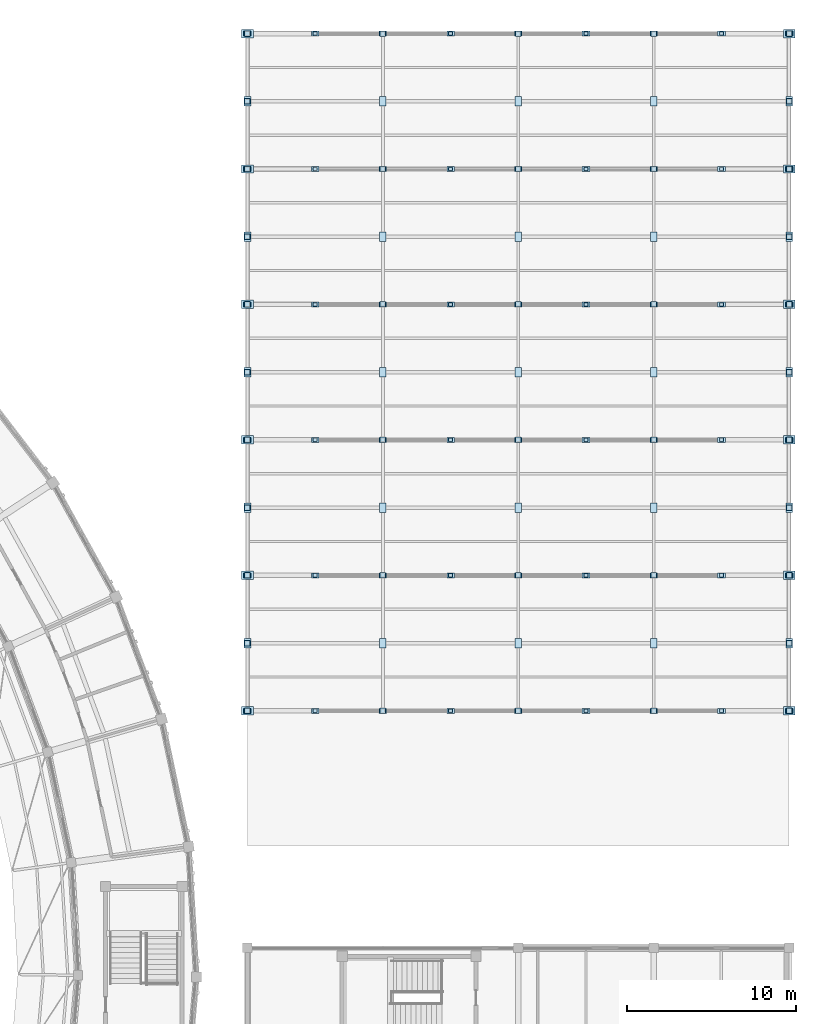
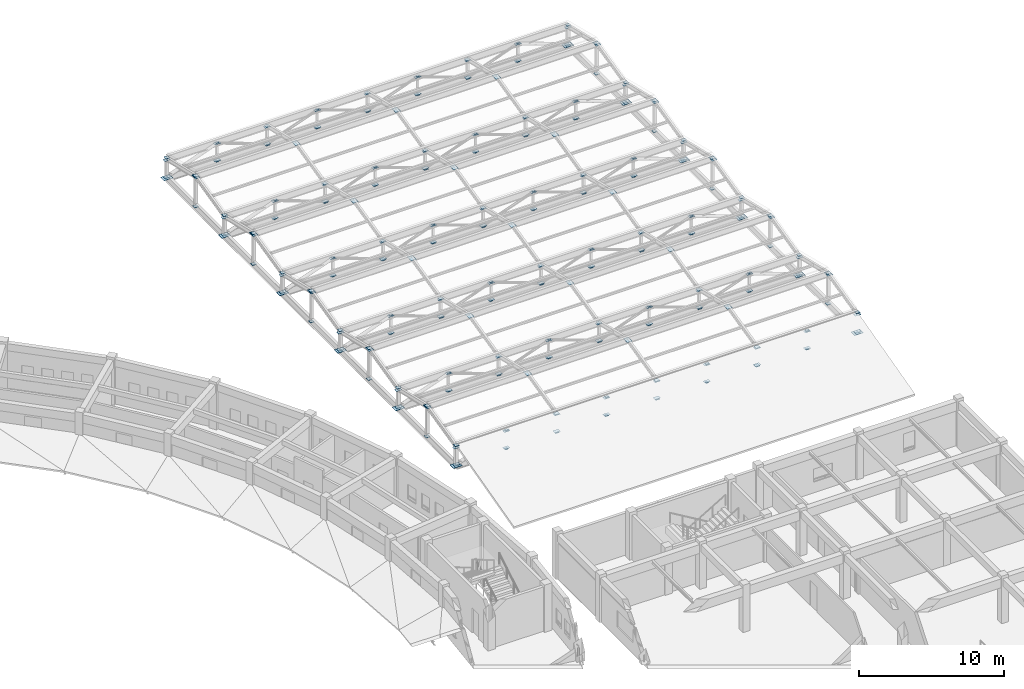
# One storey, part 72 of 112: 273 plates.
"""IFC4 building model written with IfcOpenShell, lengths in metres."""

from ifc_helpers import new_model, si_unit, direction, frame, origin, origin_2d, place, context, subcontext, project, spatial, rectangle, extrude, material, layer, layer_set, type_object, element, save


model = new_model("IFC4")

# Units and contexts
model_context = context("Model", 3, precision=1e-05, world=origin(), true_north=direction((0.0, 1.0)))
body_context = subcontext(model_context, "Body", "Model", "MODEL_VIEW")
ifc_project = project(units=[si_unit("LENGTHUNIT", "METRE"), si_unit("AREAUNIT", "SQUARE_METRE"), si_unit("VOLUMEUNIT", "CUBIC_METRE"), si_unit("PLANEANGLEUNIT", "RADIAN"), si_unit("MASSUNIT", "GRAM", prefix="KILO")], contexts=[model_context])

# Site, building, storey
site_placement = place(None, origin())
site = spatial("IfcSite", under=ifc_project, at=site_placement, CompositionType="ELEMENT")
building_placement = place(site_placement, origin())
building = spatial("IfcBuilding", under=site, at=building_placement, Name="Celadon Cloister-Ring School", CompositionType="ELEMENT")
storey_placement = place(building_placement, frame((0.0, 0.0, 8.5)))
storey = spatial("IfcBuildingStorey", under=building, at=storey_placement, Name="L02", CompositionType="ELEMENT", Elevation=8.5)

# Plates
ifc_material_1 = material(Name="Structural steel S355JR", Category="steel")
ifc_layer_1 = layer(ifc_material_1, 0.02392578125)
ifc_layer_set_1 = layer_set([ifc_layer_1], Name="Structural steel S355JR")
plate_type_1 = type_object("IfcPlateType", Name="PT-02", PredefinedType="SHEET", material=ifc_layer_set_1)
for number, where, z_axis, x_axis, name in (
    (1, (142.0, 74.0, 0.887939453125), (0.0, 0.0, 1.0), (1.0, 0.0, 0.0), "Gusset Plate 0121"),
    (2, (174.0, 74.0, 0.887939453125), (0.0, 0.0, 1.0), (1.0, 0.0, 0.0), "Gusset Plate 0122"),
    (3, (142.0, 82.0, 0.887939453125), (0.0, 0.0, 1.0), (1.0, 0.0, 0.0), "Gusset Plate 0159"),
    (4, (174.0, 82.0, 0.887939453125), (0.0, 0.0, 1.0), (1.0, 0.0, 0.0), "Gusset Plate 0160"),
    (5, (142.0, 90.0, 0.887939453125), (0.0, 0.0, 1.0), (1.0, 0.0, 0.0), "Gusset Plate 0197"),
    (6, (174.0, 90.0, 0.887939453125), (0.0, 0.0, 1.0), (1.0, 0.0, 0.0), "Gusset Plate 0198"),
    (7, (142.0, 98.0, 0.887939453125), (0.0, 0.0, 1.0), (1.0, 0.0, 0.0), "Gusset Plate 0235"),
    (8, (174.0, 98.0, 0.887939453125), (0.0, 0.0, 1.0), (1.0, 0.0, 0.0), "Gusset Plate 0236"),
    (9, (142.0, 106.0, 0.887939453125), (0.0, 0.0, 1.0), (1.0, 0.0, 0.0), "Gusset Plate 0273"),
    (10, (174.0, 106.0, 0.887939453125), (0.0, 0.0, 1.0), (1.0, 0.0, 0.0), "Gusset Plate 0274"),
    (11, (142.0, 114.0, 0.887939453125), (0.0, 0.0, 1.0), (1.0, 0.0, 0.0), "Gusset Plate 0311"),
    (12, (174.0, 114.0, 0.887939453125), (0.0, 0.0, 1.0), (1.0, 0.0, 0.0), "Gusset Plate 0312"),
):
    element("IfcPlate", number, at=place(storey_placement, frame(where, z_axis=z_axis, x_axis=x_axis)), inside=storey, type_object=plate_type_1, Name=name, PredefinedType="SHEET", context=body_context, shape_type="SweptSolid", body=[
        extrude(rectangle(XDim=0.699951171875, YDim=0.5, at=origin_2d()), origin(), (0.0, 0.0, 1.0), 0.02392578125),
    ])
ifc_material_2 = material(Name="Structural steel S355JR", Category="steel")
ifc_layer_2 = layer(ifc_material_2, 0.01611328125)
ifc_layer_set_2 = layer_set([ifc_layer_2], Name="Structural steel S355JR")
plate_type_2 = type_object("IfcPlateType", Name="PT-03", PredefinedType="SHEET", material=ifc_layer_set_2)
for number, where, z_axis, x_axis, name in (
    (13, (142.0, 78.0, 3.44189453125), (0.0, 0.0, 1.0), (0.0, 1.0, 0.0), "Gusset Plate 0317"),
    (14, (150.0, 78.0, 3.44189453125), (0.0, 0.0, 1.0), (0.0, 1.0, 0.0), "Gusset Plate 0318"),
    (15, (158.0, 78.0, 3.44189453125), (0.0, 0.0, 1.0), (0.0, 1.0, 0.0), "Gusset Plate 0319"),
    (16, (166.0, 78.0, 3.44189453125), (0.0, 0.0, 1.0), (0.0, 1.0, 0.0), "Gusset Plate 0320"),
    (17, (174.0, 78.0, 3.44189453125), (0.0, 0.0, 1.0), (0.0, 1.0, 0.0), "Gusset Plate 0321"),
    (18, (142.0, 86.0, 3.44189453125), (0.0, 0.0, 1.0), (0.0, 1.0, 0.0), "Gusset Plate 0326"),
    (19, (150.0, 86.0, 3.44189453125), (0.0, 0.0, 1.0), (0.0, 1.0, 0.0), "Gusset Plate 0327"),
    (20, (158.0, 86.0, 3.44189453125), (0.0, 0.0, 1.0), (0.0, 1.0, 0.0), "Gusset Plate 0328"),
    (21, (166.0, 86.0, 3.44189453125), (0.0, 0.0, 1.0), (0.0, 1.0, 0.0), "Gusset Plate 0329"),
    (22, (174.0, 86.0, 3.44189453125), (0.0, 0.0, 1.0), (0.0, 1.0, 0.0), "Gusset Plate 0330"),
    (23, (142.0, 94.0, 3.44189453125), (0.0, 0.0, 1.0), (0.0, 1.0, 0.0), "Gusset Plate 0335"),
    (24, (150.0, 94.0, 3.44189453125), (0.0, 0.0, 1.0), (0.0, 1.0, 0.0), "Gusset Plate 0336"),
    (25, (158.0, 94.0, 3.44189453125), (0.0, 0.0, 1.0), (0.0, 1.0, 0.0), "Gusset Plate 0337"),
    (26, (166.0, 94.0, 3.44189453125), (0.0, 0.0, 1.0), (0.0, 1.0, 0.0), "Gusset Plate 0338"),
    (27, (174.0, 94.0, 3.44189453125), (0.0, 0.0, 1.0), (0.0, 1.0, 0.0), "Gusset Plate 0339"),
    (28, (142.0, 102.0, 3.44189453125), (0.0, 0.0, 1.0), (0.0, 1.0, 0.0), "Gusset Plate 0344"),
    (29, (150.0, 102.0, 3.44189453125), (0.0, 0.0, 1.0), (0.0, 1.0, 0.0), "Gusset Plate 0345"),
    (30, (158.0, 102.0, 3.44189453125), (0.0, 0.0, 1.0), (0.0, 1.0, 0.0), "Gusset Plate 0346"),
    (31, (166.0, 102.0, 3.44189453125), (0.0, 0.0, 1.0), (0.0, 1.0, 0.0), "Gusset Plate 0347"),
    (32, (174.0, 102.0, 3.44189453125), (0.0, 0.0, 1.0), (0.0, 1.0, 0.0), "Gusset Plate 0348"),
    (33, (142.0, 110.0, 3.44189453125), (0.0, 0.0, 1.0), (0.0, 1.0, 0.0), "Gusset Plate 0353"),
    (34, (150.0, 110.0, 3.44189453125), (0.0, 0.0, 1.0), (0.0, 1.0, 0.0), "Gusset Plate 0354"),
    (35, (158.0, 110.0, 3.44189453125), (0.0, 0.0, 1.0), (0.0, 1.0, 0.0), "Gusset Plate 0355"),
    (36, (166.0, 110.0, 3.44189453125), (0.0, 0.0, 1.0), (0.0, 1.0, 0.0), "Gusset Plate 0356"),
    (37, (174.0, 110.0, 3.44189453125), (0.0, 0.0, 1.0), (0.0, 1.0, 0.0), "Gusset Plate 0357"),
):
    element("IfcPlate", number, at=place(storey_placement, frame(where, z_axis=z_axis, x_axis=x_axis)), inside=storey, type_object=plate_type_2, Name=name, PredefinedType="SHEET", context=body_context, shape_type="SweptSolid", body=[
        extrude(rectangle(XDim=0.56005859375, YDim=0.39990234375, at=origin_2d()), origin(), (0.0, 0.0, 1.0), 0.01611328125),
    ])
ifc_material_3 = material(Name="Structural steel S355JR", Category="steel")
ifc_layer_3 = layer(ifc_material_3, 0.011962890625)
ifc_layer_set_3 = layer_set([ifc_layer_3], Name="Structural steel S355JR")
plate_type_3 = type_object("IfcPlateType", Name="PT-04", PredefinedType="SHEET", material=ifc_layer_set_3)
for number, where, z_axis, x_axis, name in (
    (38, (142.0, 74.0, 0.97412109375), (0.0, 0.0, 1.0), (1.0, 0.0, 0.0), "Gusset Plate 0103"),
    (39, (142.0, 74.0, 2.4140625), (0.0, 0.0, 1.0), (1.0, 0.0, 0.0), "Gusset Plate 0104"),
    (40, (146.0, 74.0, 0.97412109375), (0.0, 0.0, 1.0), (1.0, 0.0, 0.0), "Gusset Plate 0105"),
    (41, (146.0, 74.0, 2.4140625), (0.0, 0.0, 1.0), (1.0, 0.0, 0.0), "Gusset Plate 0106"),
    (42, (150.0, 74.0, 0.97412109375), (0.0, 0.0, 1.0), (1.0, 0.0, 0.0), "Gusset Plate 0107"),
    (43, (150.0, 74.0, 2.4140625), (0.0, 0.0, 1.0), (1.0, 0.0, 0.0), "Gusset Plate 0108"),
    (44, (154.0, 74.0, 0.97412109375), (0.0, 0.0, 1.0), (1.0, 0.0, 0.0), "Gusset Plate 0109"),
    (45, (154.0, 74.0, 2.4140625), (0.0, 0.0, 1.0), (1.0, 0.0, 0.0), "Gusset Plate 0110"),
    (46, (158.0, 74.0, 0.97412109375), (0.0, 0.0, 1.0), (1.0, 0.0, 0.0), "Gusset Plate 0111"),
    (47, (158.0, 74.0, 2.4140625), (0.0, 0.0, 1.0), (1.0, 0.0, 0.0), "Gusset Plate 0112"),
    (48, (162.0, 74.0, 0.97412109375), (0.0, 0.0, 1.0), (1.0, 0.0, 0.0), "Gusset Plate 0113"),
    (49, (162.0, 74.0, 2.4140625), (0.0, 0.0, 1.0), (1.0, 0.0, 0.0), "Gusset Plate 0114"),
    (50, (166.0, 74.0, 0.97412109375), (0.0, 0.0, 1.0), (1.0, 0.0, 0.0), "Gusset Plate 0115"),
    (51, (166.0, 74.0, 2.4140625), (0.0, 0.0, 1.0), (1.0, 0.0, 0.0), "Gusset Plate 0116"),
    (52, (170.0, 74.0, 0.97412109375), (0.0, 0.0, 1.0), (1.0, 0.0, 0.0), "Gusset Plate 0117"),
    (53, (170.0, 74.0, 2.4140625), (0.0, 0.0, 1.0), (1.0, 0.0, 0.0), "Gusset Plate 0118"),
    (54, (174.0, 74.0, 0.97412109375), (0.0, 0.0, 1.0), (1.0, 0.0, 0.0), "Gusset Plate 0119"),
    (55, (174.0, 74.0, 2.4140625), (0.0, 0.0, 1.0), (1.0, 0.0, 0.0), "Gusset Plate 0120"),
    (56, (142.0, 82.0, 0.97412109375), (0.0, 0.0, 1.0), (1.0, 0.0, 0.0), "Gusset Plate 0141"),
    (57, (142.0, 82.0, 2.4140625), (0.0, 0.0, 1.0), (1.0, 0.0, 0.0), "Gusset Plate 0142"),
    (58, (146.0, 82.0, 0.97412109375), (0.0, 0.0, 1.0), (1.0, 0.0, 0.0), "Gusset Plate 0143"),
    (59, (146.0, 82.0, 2.4140625), (0.0, 0.0, 1.0), (1.0, 0.0, 0.0), "Gusset Plate 0144"),
    (60, (150.0, 82.0, 0.97412109375), (0.0, 0.0, 1.0), (1.0, 0.0, 0.0), "Gusset Plate 0145"),
    (61, (150.0, 82.0, 2.4140625), (0.0, 0.0, 1.0), (1.0, 0.0, 0.0), "Gusset Plate 0146"),
    (62, (154.0, 82.0, 0.97412109375), (0.0, 0.0, 1.0), (1.0, 0.0, 0.0), "Gusset Plate 0147"),
    (63, (154.0, 82.0, 2.4140625), (0.0, 0.0, 1.0), (1.0, 0.0, 0.0), "Gusset Plate 0148"),
    (64, (158.0, 82.0, 0.97412109375), (0.0, 0.0, 1.0), (1.0, 0.0, 0.0), "Gusset Plate 0149"),
    (65, (158.0, 82.0, 2.4140625), (0.0, 0.0, 1.0), (1.0, 0.0, 0.0), "Gusset Plate 0150"),
    (66, (162.0, 82.0, 0.97412109375), (0.0, 0.0, 1.0), (1.0, 0.0, 0.0), "Gusset Plate 0151"),
    (67, (162.0, 82.0, 2.4140625), (0.0, 0.0, 1.0), (1.0, 0.0, 0.0), "Gusset Plate 0152"),
    (68, (166.0, 82.0, 0.97412109375), (0.0, 0.0, 1.0), (1.0, 0.0, 0.0), "Gusset Plate 0153"),
    (69, (166.0, 82.0, 2.4140625), (0.0, 0.0, 1.0), (1.0, 0.0, 0.0), "Gusset Plate 0154"),
    (70, (170.0, 82.0, 0.97412109375), (0.0, 0.0, 1.0), (1.0, 0.0, 0.0), "Gusset Plate 0155"),
    (71, (170.0, 82.0, 2.4140625), (0.0, 0.0, 1.0), (1.0, 0.0, 0.0), "Gusset Plate 0156"),
    (72, (174.0, 82.0, 0.97412109375), (0.0, 0.0, 1.0), (1.0, 0.0, 0.0), "Gusset Plate 0157"),
    (73, (174.0, 82.0, 2.4140625), (0.0, 0.0, 1.0), (1.0, 0.0, 0.0), "Gusset Plate 0158"),
    (74, (142.0, 90.0, 0.97412109375), (0.0, 0.0, 1.0), (1.0, 0.0, 0.0), "Gusset Plate 0179"),
    (75, (142.0, 90.0, 2.4140625), (0.0, 0.0, 1.0), (1.0, 0.0, 0.0), "Gusset Plate 0180"),
    (76, (146.0, 90.0, 0.97412109375), (0.0, 0.0, 1.0), (1.0, 0.0, 0.0), "Gusset Plate 0181"),
    (77, (146.0, 90.0, 2.4140625), (0.0, 0.0, 1.0), (1.0, 0.0, 0.0), "Gusset Plate 0182"),
    (78, (150.0, 90.0, 0.97412109375), (0.0, 0.0, 1.0), (1.0, 0.0, 0.0), "Gusset Plate 0183"),
    (79, (150.0, 90.0, 2.4140625), (0.0, 0.0, 1.0), (1.0, 0.0, 0.0), "Gusset Plate 0184"),
    (80, (154.0, 90.0, 0.97412109375), (0.0, 0.0, 1.0), (1.0, 0.0, 0.0), "Gusset Plate 0185"),
    (81, (154.0, 90.0, 2.4140625), (0.0, 0.0, 1.0), (1.0, 0.0, 0.0), "Gusset Plate 0186"),
    (82, (158.0, 90.0, 0.97412109375), (0.0, 0.0, 1.0), (1.0, 0.0, 0.0), "Gusset Plate 0187"),
    (83, (158.0, 90.0, 2.4140625), (0.0, 0.0, 1.0), (1.0, 0.0, 0.0), "Gusset Plate 0188"),
    (84, (162.0, 90.0, 0.97412109375), (0.0, 0.0, 1.0), (1.0, 0.0, 0.0), "Gusset Plate 0189"),
    (85, (162.0, 90.0, 2.4140625), (0.0, 0.0, 1.0), (1.0, 0.0, 0.0), "Gusset Plate 0190"),
    (86, (166.0, 90.0, 0.97412109375), (0.0, 0.0, 1.0), (1.0, 0.0, 0.0), "Gusset Plate 0191"),
    (87, (166.0, 90.0, 2.4140625), (0.0, 0.0, 1.0), (1.0, 0.0, 0.0), "Gusset Plate 0192"),
    (88, (170.0, 90.0, 0.97412109375), (0.0, 0.0, 1.0), (1.0, 0.0, 0.0), "Gusset Plate 0193"),
    (89, (170.0, 90.0, 2.4140625), (0.0, 0.0, 1.0), (1.0, 0.0, 0.0), "Gusset Plate 0194"),
    (90, (174.0, 90.0, 0.97412109375), (0.0, 0.0, 1.0), (1.0, 0.0, 0.0), "Gusset Plate 0195"),
    (91, (174.0, 90.0, 2.4140625), (0.0, 0.0, 1.0), (1.0, 0.0, 0.0), "Gusset Plate 0196"),
    (92, (142.0, 98.0, 0.97412109375), (0.0, 0.0, 1.0), (1.0, 0.0, 0.0), "Gusset Plate 0217"),
    (93, (142.0, 98.0, 2.4140625), (0.0, 0.0, 1.0), (1.0, 0.0, 0.0), "Gusset Plate 0218"),
    (94, (146.0, 98.0, 0.97412109375), (0.0, 0.0, 1.0), (1.0, 0.0, 0.0), "Gusset Plate 0219"),
    (95, (146.0, 98.0, 2.4140625), (0.0, 0.0, 1.0), (1.0, 0.0, 0.0), "Gusset Plate 0220"),
    (96, (150.0, 98.0, 0.97412109375), (0.0, 0.0, 1.0), (1.0, 0.0, 0.0), "Gusset Plate 0221"),
    (97, (150.0, 98.0, 2.4140625), (0.0, 0.0, 1.0), (1.0, 0.0, 0.0), "Gusset Plate 0222"),
    (98, (154.0, 98.0, 0.97412109375), (0.0, 0.0, 1.0), (1.0, 0.0, 0.0), "Gusset Plate 0223"),
    (99, (154.0, 98.0, 2.4140625), (0.0, 0.0, 1.0), (1.0, 0.0, 0.0), "Gusset Plate 0224"),
    (100, (158.0, 98.0, 0.97412109375), (0.0, 0.0, 1.0), (1.0, 0.0, 0.0), "Gusset Plate 0225"),
    (101, (158.0, 98.0, 2.4140625), (0.0, 0.0, 1.0), (1.0, 0.0, 0.0), "Gusset Plate 0226"),
    (102, (162.0, 98.0, 0.97412109375), (0.0, 0.0, 1.0), (1.0, 0.0, 0.0), "Gusset Plate 0227"),
    (103, (162.0, 98.0, 2.4140625), (0.0, 0.0, 1.0), (1.0, 0.0, 0.0), "Gusset Plate 0228"),
    (104, (166.0, 98.0, 0.97412109375), (0.0, 0.0, 1.0), (1.0, 0.0, 0.0), "Gusset Plate 0229"),
    (105, (166.0, 98.0, 2.4140625), (0.0, 0.0, 1.0), (1.0, 0.0, 0.0), "Gusset Plate 0230"),
    (106, (170.0, 98.0, 0.97412109375), (0.0, 0.0, 1.0), (1.0, 0.0, 0.0), "Gusset Plate 0231"),
    (107, (170.0, 98.0, 2.4140625), (0.0, 0.0, 1.0), (1.0, 0.0, 0.0), "Gusset Plate 0232"),
    (108, (174.0, 98.0, 0.97412109375), (0.0, 0.0, 1.0), (1.0, 0.0, 0.0), "Gusset Plate 0233"),
    (109, (174.0, 98.0, 2.4140625), (0.0, 0.0, 1.0), (1.0, 0.0, 0.0), "Gusset Plate 0234"),
    (110, (142.0, 106.0, 0.97412109375), (0.0, 0.0, 1.0), (1.0, 0.0, 0.0), "Gusset Plate 0255"),
    (111, (142.0, 106.0, 2.4140625), (0.0, 0.0, 1.0), (1.0, 0.0, 0.0), "Gusset Plate 0256"),
    (112, (146.0, 106.0, 0.97412109375), (0.0, 0.0, 1.0), (1.0, 0.0, 0.0), "Gusset Plate 0257"),
    (113, (146.0, 106.0, 2.4140625), (0.0, 0.0, 1.0), (1.0, 0.0, 0.0), "Gusset Plate 0258"),
    (114, (150.0, 106.0, 0.97412109375), (0.0, 0.0, 1.0), (1.0, 0.0, 0.0), "Gusset Plate 0259"),
    (115, (150.0, 106.0, 2.4140625), (0.0, 0.0, 1.0), (1.0, 0.0, 0.0), "Gusset Plate 0260"),
    (116, (154.0, 106.0, 0.97412109375), (0.0, 0.0, 1.0), (1.0, 0.0, 0.0), "Gusset Plate 0261"),
    (117, (154.0, 106.0, 2.4140625), (0.0, 0.0, 1.0), (1.0, 0.0, 0.0), "Gusset Plate 0262"),
    (118, (158.0, 106.0, 0.97412109375), (0.0, 0.0, 1.0), (1.0, 0.0, 0.0), "Gusset Plate 0263"),
    (119, (158.0, 106.0, 2.4140625), (0.0, 0.0, 1.0), (1.0, 0.0, 0.0), "Gusset Plate 0264"),
    (120, (162.0, 106.0, 0.97412109375), (0.0, 0.0, 1.0), (1.0, 0.0, 0.0), "Gusset Plate 0265"),
    (121, (162.0, 106.0, 2.4140625), (0.0, 0.0, 1.0), (1.0, 0.0, 0.0), "Gusset Plate 0266"),
    (122, (166.0, 106.0, 0.97412109375), (0.0, 0.0, 1.0), (1.0, 0.0, 0.0), "Gusset Plate 0267"),
    (123, (166.0, 106.0, 2.4140625), (0.0, 0.0, 1.0), (1.0, 0.0, 0.0), "Gusset Plate 0268"),
    (124, (170.0, 106.0, 0.97412109375), (0.0, 0.0, 1.0), (1.0, 0.0, 0.0), "Gusset Plate 0269"),
    (125, (170.0, 106.0, 2.4140625), (0.0, 0.0, 1.0), (1.0, 0.0, 0.0), "Gusset Plate 0270"),
    (126, (174.0, 106.0, 0.97412109375), (0.0, 0.0, 1.0), (1.0, 0.0, 0.0), "Gusset Plate 0271"),
    (127, (174.0, 106.0, 2.4140625), (0.0, 0.0, 1.0), (1.0, 0.0, 0.0), "Gusset Plate 0272"),
    (128, (142.0, 114.0, 0.97412109375), (0.0, 0.0, 1.0), (1.0, 0.0, 0.0), "Gusset Plate 0293"),
    (129, (142.0, 114.0, 2.4140625), (0.0, 0.0, 1.0), (1.0, 0.0, 0.0), "Gusset Plate 0294"),
    (130, (146.0, 114.0, 0.97412109375), (0.0, 0.0, 1.0), (1.0, 0.0, 0.0), "Gusset Plate 0295"),
    (131, (146.0, 114.0, 2.4140625), (0.0, 0.0, 1.0), (1.0, 0.0, 0.0), "Gusset Plate 0296"),
    (132, (150.0, 114.0, 0.97412109375), (0.0, 0.0, 1.0), (1.0, 0.0, 0.0), "Gusset Plate 0297"),
    (133, (150.0, 114.0, 2.4140625), (0.0, 0.0, 1.0), (1.0, 0.0, 0.0), "Gusset Plate 0298"),
    (134, (154.0, 114.0, 0.97412109375), (0.0, 0.0, 1.0), (1.0, 0.0, 0.0), "Gusset Plate 0299"),
    (135, (154.0, 114.0, 2.4140625), (0.0, 0.0, 1.0), (1.0, 0.0, 0.0), "Gusset Plate 0300"),
    (136, (158.0, 114.0, 0.97412109375), (0.0, 0.0, 1.0), (1.0, 0.0, 0.0), "Gusset Plate 0301"),
    (137, (158.0, 114.0, 2.4140625), (0.0, 0.0, 1.0), (1.0, 0.0, 0.0), "Gusset Plate 0302"),
    (138, (162.0, 114.0, 0.97412109375), (0.0, 0.0, 1.0), (1.0, 0.0, 0.0), "Gusset Plate 0303"),
    (139, (162.0, 114.0, 2.4140625), (0.0, 0.0, 1.0), (1.0, 0.0, 0.0), "Gusset Plate 0304"),
    (140, (166.0, 114.0, 0.97412109375), (0.0, 0.0, 1.0), (1.0, 0.0, 0.0), "Gusset Plate 0305"),
    (141, (166.0, 114.0, 2.4140625), (0.0, 0.0, 1.0), (1.0, 0.0, 0.0), "Gusset Plate 0306"),
    (142, (170.0, 114.0, 0.97412109375), (0.0, 0.0, 1.0), (1.0, 0.0, 0.0), "Gusset Plate 0307"),
    (143, (170.0, 114.0, 2.4140625), (0.0, 0.0, 1.0), (1.0, 0.0, 0.0), "Gusset Plate 0308"),
    (144, (174.0, 114.0, 0.97412109375), (0.0, 0.0, 1.0), (1.0, 0.0, 0.0), "Gusset Plate 0309"),
    (145, (174.0, 114.0, 2.4140625), (0.0, 0.0, 1.0), (1.0, 0.0, 0.0), "Gusset Plate 0310"),
):
    element("IfcPlate", number, at=place(storey_placement, frame(where, z_axis=z_axis, x_axis=x_axis)), inside=storey, type_object=plate_type_3, Name=name, PredefinedType="SHEET", context=body_context, shape_type="SweptSolid", body=[
        extrude(rectangle(XDim=0.449951171875, YDim=0.300048828125, at=origin_2d()), origin(), (0.0, 0.0, 1.0), 0.011962890625),
    ])
ifc_material_4 = material(Name="Structural steel S355JR", Category="steel")
ifc_layer_4 = layer(ifc_material_4, 0.02197265625)
ifc_layer_set_4 = layer_set([ifc_layer_4], Name="Structural steel S355JR")
plate_type_4 = type_object("IfcPlateType", Name="PT-05", PredefinedType="SHEET", material=ifc_layer_set_4)
for number, where, z_axis, x_axis, name in (
    (146, (142.0, 74.0, 0.830078125), (0.0, 0.0, 1.0), (1.0, 0.0, 0.0), "Gusset Plate 0085"),
    (147, (142.0, 74.0, 2.597900390625), (0.0, 0.0, 1.0), (1.0, 0.0, 0.0), "Gusset Plate 0086"),
    (148, (174.0, 74.0, 0.830078125), (0.0, 0.0, 1.0), (1.0, 0.0, 0.0), "Gusset Plate 0087"),
    (149, (174.0, 74.0, 2.597900390625), (0.0, 0.0, 1.0), (1.0, 0.0, 0.0), "Gusset Plate 0088"),
    (150, (150.0, 74.0, 0.89990234375), (0.0, 0.0, 1.0), (1.0, 0.0, 0.0), "Gusset Plate 0093"),
    (151, (150.0, 74.0, 2.47802734375), (0.0, 0.0, 1.0), (1.0, 0.0, 0.0), "Gusset Plate 0094"),
    (152, (158.0, 74.0, 0.89990234375), (0.0, 0.0, 1.0), (1.0, 0.0, 0.0), "Gusset Plate 0097"),
    (153, (158.0, 74.0, 2.47802734375), (0.0, 0.0, 1.0), (1.0, 0.0, 0.0), "Gusset Plate 0098"),
    (154, (166.0, 74.0, 0.89990234375), (0.0, 0.0, 1.0), (1.0, 0.0, 0.0), "Gusset Plate 0101"),
    (155, (166.0, 74.0, 2.47802734375), (0.0, 0.0, 1.0), (1.0, 0.0, 0.0), "Gusset Plate 0102"),
    (156, (142.0, 82.0, 0.830078125), (0.0, 0.0, 1.0), (1.0, 0.0, 0.0), "Gusset Plate 0123"),
    (157, (142.0, 82.0, 2.597900390625), (0.0, 0.0, 1.0), (1.0, 0.0, 0.0), "Gusset Plate 0124"),
    (158, (174.0, 82.0, 0.830078125), (0.0, 0.0, 1.0), (1.0, 0.0, 0.0), "Gusset Plate 0125"),
    (159, (174.0, 82.0, 2.597900390625), (0.0, 0.0, 1.0), (1.0, 0.0, 0.0), "Gusset Plate 0126"),
    (160, (150.0, 82.0, 0.89990234375), (0.0, 0.0, 1.0), (1.0, 0.0, 0.0), "Gusset Plate 0131"),
    (161, (150.0, 82.0, 2.47802734375), (0.0, 0.0, 1.0), (1.0, 0.0, 0.0), "Gusset Plate 0132"),
    (162, (158.0, 82.0, 0.89990234375), (0.0, 0.0, 1.0), (1.0, 0.0, 0.0), "Gusset Plate 0135"),
    (163, (158.0, 82.0, 2.47802734375), (0.0, 0.0, 1.0), (1.0, 0.0, 0.0), "Gusset Plate 0136"),
    (164, (166.0, 82.0, 0.89990234375), (0.0, 0.0, 1.0), (1.0, 0.0, 0.0), "Gusset Plate 0139"),
    (165, (166.0, 82.0, 2.47802734375), (0.0, 0.0, 1.0), (1.0, 0.0, 0.0), "Gusset Plate 0140"),
    (166, (142.0, 90.0, 0.830078125), (0.0, 0.0, 1.0), (1.0, 0.0, 0.0), "Gusset Plate 0161"),
    (167, (142.0, 90.0, 2.597900390625), (0.0, 0.0, 1.0), (1.0, 0.0, 0.0), "Gusset Plate 0162"),
    (168, (174.0, 90.0, 0.830078125), (0.0, 0.0, 1.0), (1.0, 0.0, 0.0), "Gusset Plate 0163"),
    (169, (174.0, 90.0, 2.597900390625), (0.0, 0.0, 1.0), (1.0, 0.0, 0.0), "Gusset Plate 0164"),
    (170, (150.0, 90.0, 0.89990234375), (0.0, 0.0, 1.0), (1.0, 0.0, 0.0), "Gusset Plate 0169"),
    (171, (150.0, 90.0, 2.47802734375), (0.0, 0.0, 1.0), (1.0, 0.0, 0.0), "Gusset Plate 0170"),
    (172, (158.0, 90.0, 0.89990234375), (0.0, 0.0, 1.0), (1.0, 0.0, 0.0), "Gusset Plate 0173"),
    (173, (158.0, 90.0, 2.47802734375), (0.0, 0.0, 1.0), (1.0, 0.0, 0.0), "Gusset Plate 0174"),
    (174, (166.0, 90.0, 0.89990234375), (0.0, 0.0, 1.0), (1.0, 0.0, 0.0), "Gusset Plate 0177"),
    (175, (166.0, 90.0, 2.47802734375), (0.0, 0.0, 1.0), (1.0, 0.0, 0.0), "Gusset Plate 0178"),
    (176, (142.0, 98.0, 0.830078125), (0.0, 0.0, 1.0), (1.0, 0.0, 0.0), "Gusset Plate 0199"),
    (177, (142.0, 98.0, 2.597900390625), (0.0, 0.0, 1.0), (1.0, 0.0, 0.0), "Gusset Plate 0200"),
    (178, (174.0, 98.0, 0.830078125), (0.0, 0.0, 1.0), (1.0, 0.0, 0.0), "Gusset Plate 0201"),
    (179, (174.0, 98.0, 2.597900390625), (0.0, 0.0, 1.0), (1.0, 0.0, 0.0), "Gusset Plate 0202"),
    (180, (150.0, 98.0, 0.89990234375), (0.0, 0.0, 1.0), (1.0, 0.0, 0.0), "Gusset Plate 0207"),
    (181, (150.0, 98.0, 2.47802734375), (0.0, 0.0, 1.0), (1.0, 0.0, 0.0), "Gusset Plate 0208"),
    (182, (158.0, 98.0, 0.89990234375), (0.0, 0.0, 1.0), (1.0, 0.0, 0.0), "Gusset Plate 0211"),
    (183, (158.0, 98.0, 2.47802734375), (0.0, 0.0, 1.0), (1.0, 0.0, 0.0), "Gusset Plate 0212"),
    (184, (166.0, 98.0, 0.89990234375), (0.0, 0.0, 1.0), (1.0, 0.0, 0.0), "Gusset Plate 0215"),
    (185, (166.0, 98.0, 2.47802734375), (0.0, 0.0, 1.0), (1.0, 0.0, 0.0), "Gusset Plate 0216"),
    (186, (142.0, 106.0, 0.830078125), (0.0, 0.0, 1.0), (1.0, 0.0, 0.0), "Gusset Plate 0237"),
    (187, (142.0, 106.0, 2.597900390625), (0.0, 0.0, 1.0), (1.0, 0.0, 0.0), "Gusset Plate 0238"),
    (188, (174.0, 106.0, 0.830078125), (0.0, 0.0, 1.0), (1.0, 0.0, 0.0), "Gusset Plate 0239"),
    (189, (174.0, 106.0, 2.597900390625), (0.0, 0.0, 1.0), (1.0, 0.0, 0.0), "Gusset Plate 0240"),
    (190, (150.0, 106.0, 0.89990234375), (0.0, 0.0, 1.0), (1.0, 0.0, 0.0), "Gusset Plate 0245"),
    (191, (150.0, 106.0, 2.47802734375), (0.0, 0.0, 1.0), (1.0, 0.0, 0.0), "Gusset Plate 0246"),
    (192, (158.0, 106.0, 0.89990234375), (0.0, 0.0, 1.0), (1.0, 0.0, 0.0), "Gusset Plate 0249"),
    (193, (158.0, 106.0, 2.47802734375), (0.0, 0.0, 1.0), (1.0, 0.0, 0.0), "Gusset Plate 0250"),
    (194, (166.0, 106.0, 0.89990234375), (0.0, 0.0, 1.0), (1.0, 0.0, 0.0), "Gusset Plate 0253"),
    (195, (166.0, 106.0, 2.47802734375), (0.0, 0.0, 1.0), (1.0, 0.0, 0.0), "Gusset Plate 0254"),
    (196, (142.0, 114.0, 0.830078125), (0.0, 0.0, 1.0), (1.0, 0.0, 0.0), "Gusset Plate 0275"),
    (197, (142.0, 114.0, 2.597900390625), (0.0, 0.0, 1.0), (1.0, 0.0, 0.0), "Gusset Plate 0276"),
    (198, (174.0, 114.0, 0.830078125), (0.0, 0.0, 1.0), (1.0, 0.0, 0.0), "Gusset Plate 0277"),
    (199, (174.0, 114.0, 2.597900390625), (0.0, 0.0, 1.0), (1.0, 0.0, 0.0), "Gusset Plate 0278"),
    (200, (150.0, 114.0, 0.89990234375), (0.0, 0.0, 1.0), (1.0, 0.0, 0.0), "Gusset Plate 0283"),
    (201, (150.0, 114.0, 2.47802734375), (0.0, 0.0, 1.0), (1.0, 0.0, 0.0), "Gusset Plate 0284"),
    (202, (158.0, 114.0, 0.89990234375), (0.0, 0.0, 1.0), (1.0, 0.0, 0.0), "Gusset Plate 0287"),
    (203, (158.0, 114.0, 2.47802734375), (0.0, 0.0, 1.0), (1.0, 0.0, 0.0), "Gusset Plate 0288"),
    (204, (166.0, 114.0, 0.89990234375), (0.0, 0.0, 1.0), (1.0, 0.0, 0.0), "Gusset Plate 0291"),
    (205, (166.0, 114.0, 2.47802734375), (0.0, 0.0, 1.0), (1.0, 0.0, 0.0), "Gusset Plate 0292"),
    (206, (142.0, 78.0, 0.89990234375), (0.0, 0.0, 1.0), (1.0, 0.0, 0.0), "Gusset Plate 0313"),
    (207, (142.0, 78.0, 3.498046875), (0.0, 0.0, 1.0), (1.0, 0.0, 0.0), "Gusset Plate 0314"),
    (208, (174.0, 78.0, 0.89990234375), (0.0, 0.0, 1.0), (1.0, 0.0, 0.0), "Gusset Plate 0315"),
    (209, (174.0, 78.0, 3.498046875), (0.0, 0.0, 1.0), (1.0, 0.0, 0.0), "Gusset Plate 0316"),
    (210, (142.0, 86.0, 0.89990234375), (0.0, 0.0, 1.0), (1.0, 0.0, 0.0), "Gusset Plate 0322"),
    (211, (142.0, 86.0, 3.498046875), (0.0, 0.0, 1.0), (1.0, 0.0, 0.0), "Gusset Plate 0323"),
    (212, (174.0, 86.0, 0.89990234375), (0.0, 0.0, 1.0), (1.0, 0.0, 0.0), "Gusset Plate 0324"),
    (213, (174.0, 86.0, 3.498046875), (0.0, 0.0, 1.0), (1.0, 0.0, 0.0), "Gusset Plate 0325"),
    (214, (142.0, 94.0, 0.89990234375), (0.0, 0.0, 1.0), (1.0, 0.0, 0.0), "Gusset Plate 0331"),
    (215, (142.0, 94.0, 3.498046875), (0.0, 0.0, 1.0), (1.0, 0.0, 0.0), "Gusset Plate 0332"),
    (216, (174.0, 94.0, 0.89990234375), (0.0, 0.0, 1.0), (1.0, 0.0, 0.0), "Gusset Plate 0333"),
    (217, (174.0, 94.0, 3.498046875), (0.0, 0.0, 1.0), (1.0, 0.0, 0.0), "Gusset Plate 0334"),
    (218, (142.0, 102.0, 0.89990234375), (0.0, 0.0, 1.0), (1.0, 0.0, 0.0), "Gusset Plate 0340"),
    (219, (142.0, 102.0, 3.498046875), (0.0, 0.0, 1.0), (1.0, 0.0, 0.0), "Gusset Plate 0341"),
    (220, (174.0, 102.0, 0.89990234375), (0.0, 0.0, 1.0), (1.0, 0.0, 0.0), "Gusset Plate 0342"),
    (221, (174.0, 102.0, 3.498046875), (0.0, 0.0, 1.0), (1.0, 0.0, 0.0), "Gusset Plate 0343"),
    (222, (142.0, 110.0, 0.89990234375), (0.0, 0.0, 1.0), (1.0, 0.0, 0.0), "Gusset Plate 0349"),
    (223, (142.0, 110.0, 3.498046875), (0.0, 0.0, 1.0), (1.0, 0.0, 0.0), "Gusset Plate 0350"),
    (224, (174.0, 110.0, 0.89990234375), (0.0, 0.0, 1.0), (1.0, 0.0, 0.0), "Gusset Plate 0351"),
    (225, (174.0, 110.0, 3.498046875), (0.0, 0.0, 1.0), (1.0, 0.0, 0.0), "Gusset Plate 0352"),
):
    element("IfcPlate", number, at=place(storey_placement, frame(where, z_axis=z_axis, x_axis=x_axis)), inside=storey, type_object=plate_type_4, Name=name, PredefinedType="SHEET", context=body_context, shape_type="SweptSolid", body=[
        extrude(rectangle(XDim=0.320068359375, YDim=0.320068359375, at=origin_2d()), origin(), (0.0, 0.0, 1.0), 0.02197265625),
    ])
ifc_material_5 = material(Name="Structural steel S355JR", Category="steel")
ifc_layer_5 = layer(ifc_material_5, 0.01611328125)
ifc_layer_set_5 = layer_set([ifc_layer_5], Name="Structural steel S355JR")
plate_type_5 = type_object("IfcPlateType", Name="PT-06", PredefinedType="SHEET", material=ifc_layer_set_5)
for number, where, z_axis, x_axis, name in (
    (226, (146.0, 74.0, 0.906005859375), (0.0, 0.0, 1.0), (1.0, 0.0, 0.0), "Gusset Plate 0089"),
    (227, (146.0, 74.0, 2.47802734375), (0.0, 0.0, 1.0), (1.0, 0.0, 0.0), "Gusset Plate 0090"),
    (228, (170.0, 74.0, 0.906005859375), (0.0, 0.0, 1.0), (1.0, 0.0, 0.0), "Gusset Plate 0091"),
    (229, (170.0, 74.0, 2.47802734375), (0.0, 0.0, 1.0), (1.0, 0.0, 0.0), "Gusset Plate 0092"),
    (230, (154.0, 74.0, 0.906005859375), (0.0, 0.0, 1.0), (1.0, 0.0, 0.0), "Gusset Plate 0095"),
    (231, (154.0, 74.0, 2.47802734375), (0.0, 0.0, 1.0), (1.0, 0.0, 0.0), "Gusset Plate 0096"),
    (232, (162.0, 74.0, 0.906005859375), (0.0, 0.0, 1.0), (1.0, 0.0, 0.0), "Gusset Plate 0099"),
    (233, (162.0, 74.0, 2.47802734375), (0.0, 0.0, 1.0), (1.0, 0.0, 0.0), "Gusset Plate 0100"),
    (234, (146.0, 82.0, 0.906005859375), (0.0, 0.0, 1.0), (1.0, 0.0, 0.0), "Gusset Plate 0127"),
    (235, (146.0, 82.0, 2.47802734375), (0.0, 0.0, 1.0), (1.0, 0.0, 0.0), "Gusset Plate 0128"),
    (236, (170.0, 82.0, 0.906005859375), (0.0, 0.0, 1.0), (1.0, 0.0, 0.0), "Gusset Plate 0129"),
    (237, (170.0, 82.0, 2.47802734375), (0.0, 0.0, 1.0), (1.0, 0.0, 0.0), "Gusset Plate 0130"),
    (238, (154.0, 82.0, 0.906005859375), (0.0, 0.0, 1.0), (1.0, 0.0, 0.0), "Gusset Plate 0133"),
    (239, (154.0, 82.0, 2.47802734375), (0.0, 0.0, 1.0), (1.0, 0.0, 0.0), "Gusset Plate 0134"),
    (240, (162.0, 82.0, 0.906005859375), (0.0, 0.0, 1.0), (1.0, 0.0, 0.0), "Gusset Plate 0137"),
    (241, (162.0, 82.0, 2.47802734375), (0.0, 0.0, 1.0), (1.0, 0.0, 0.0), "Gusset Plate 0138"),
    (242, (146.0, 90.0, 0.906005859375), (0.0, 0.0, 1.0), (1.0, 0.0, 0.0), "Gusset Plate 0165"),
    (243, (146.0, 90.0, 2.47802734375), (0.0, 0.0, 1.0), (1.0, 0.0, 0.0), "Gusset Plate 0166"),
    (244, (170.0, 90.0, 0.906005859375), (0.0, 0.0, 1.0), (1.0, 0.0, 0.0), "Gusset Plate 0167"),
    (245, (170.0, 90.0, 2.47802734375), (0.0, 0.0, 1.0), (1.0, 0.0, 0.0), "Gusset Plate 0168"),
    (246, (154.0, 90.0, 0.906005859375), (0.0, 0.0, 1.0), (1.0, 0.0, 0.0), "Gusset Plate 0171"),
    (247, (154.0, 90.0, 2.47802734375), (0.0, 0.0, 1.0), (1.0, 0.0, 0.0), "Gusset Plate 0172"),
    (248, (162.0, 90.0, 0.906005859375), (0.0, 0.0, 1.0), (1.0, 0.0, 0.0), "Gusset Plate 0175"),
    (249, (162.0, 90.0, 2.47802734375), (0.0, 0.0, 1.0), (1.0, 0.0, 0.0), "Gusset Plate 0176"),
    (250, (146.0, 98.0, 0.906005859375), (0.0, 0.0, 1.0), (1.0, 0.0, 0.0), "Gusset Plate 0203"),
    (251, (146.0, 98.0, 2.47802734375), (0.0, 0.0, 1.0), (1.0, 0.0, 0.0), "Gusset Plate 0204"),
    (252, (170.0, 98.0, 0.906005859375), (0.0, 0.0, 1.0), (1.0, 0.0, 0.0), "Gusset Plate 0205"),
    (253, (170.0, 98.0, 2.47802734375), (0.0, 0.0, 1.0), (1.0, 0.0, 0.0), "Gusset Plate 0206"),
    (254, (154.0, 98.0, 0.906005859375), (0.0, 0.0, 1.0), (1.0, 0.0, 0.0), "Gusset Plate 0209"),
    (255, (154.0, 98.0, 2.47802734375), (0.0, 0.0, 1.0), (1.0, 0.0, 0.0), "Gusset Plate 0210"),
    (256, (162.0, 98.0, 0.906005859375), (0.0, 0.0, 1.0), (1.0, 0.0, 0.0), "Gusset Plate 0213"),
    (257, (162.0, 98.0, 2.47802734375), (0.0, 0.0, 1.0), (1.0, 0.0, 0.0), "Gusset Plate 0214"),
    (258, (146.0, 106.0, 0.906005859375), (0.0, 0.0, 1.0), (1.0, 0.0, 0.0), "Gusset Plate 0241"),
    (259, (146.0, 106.0, 2.47802734375), (0.0, 0.0, 1.0), (1.0, 0.0, 0.0), "Gusset Plate 0242"),
    (260, (170.0, 106.0, 0.906005859375), (0.0, 0.0, 1.0), (1.0, 0.0, 0.0), "Gusset Plate 0243"),
    (261, (170.0, 106.0, 2.47802734375), (0.0, 0.0, 1.0), (1.0, 0.0, 0.0), "Gusset Plate 0244"),
    (262, (154.0, 106.0, 0.906005859375), (0.0, 0.0, 1.0), (1.0, 0.0, 0.0), "Gusset Plate 0247"),
    (263, (154.0, 106.0, 2.47802734375), (0.0, 0.0, 1.0), (1.0, 0.0, 0.0), "Gusset Plate 0248"),
    (264, (162.0, 106.0, 0.906005859375), (0.0, 0.0, 1.0), (1.0, 0.0, 0.0), "Gusset Plate 0251"),
    (265, (162.0, 106.0, 2.47802734375), (0.0, 0.0, 1.0), (1.0, 0.0, 0.0), "Gusset Plate 0252"),
    (266, (146.0, 114.0, 0.906005859375), (0.0, 0.0, 1.0), (1.0, 0.0, 0.0), "Gusset Plate 0279"),
    (267, (146.0, 114.0, 2.47802734375), (0.0, 0.0, 1.0), (1.0, 0.0, 0.0), "Gusset Plate 0280"),
    (268, (170.0, 114.0, 0.906005859375), (0.0, 0.0, 1.0), (1.0, 0.0, 0.0), "Gusset Plate 0281"),
    (269, (170.0, 114.0, 2.47802734375), (0.0, 0.0, 1.0), (1.0, 0.0, 0.0), "Gusset Plate 0282"),
    (270, (154.0, 114.0, 0.906005859375), (0.0, 0.0, 1.0), (1.0, 0.0, 0.0), "Gusset Plate 0285"),
    (271, (154.0, 114.0, 2.47802734375), (0.0, 0.0, 1.0), (1.0, 0.0, 0.0), "Gusset Plate 0286"),
    (272, (162.0, 114.0, 0.906005859375), (0.0, 0.0, 1.0), (1.0, 0.0, 0.0), "Gusset Plate 0289"),
    (273, (162.0, 114.0, 2.47802734375), (0.0, 0.0, 1.0), (1.0, 0.0, 0.0), "Gusset Plate 0290"),
):
    element("IfcPlate", number, at=place(storey_placement, frame(where, z_axis=z_axis, x_axis=x_axis)), inside=storey, type_object=plate_type_5, Name=name, PredefinedType="SHEET", context=body_context, shape_type="SweptSolid", body=[
        extrude(rectangle(XDim=0.219970703125, YDim=0.199951171875, at=origin_2d()), origin(), (0.0, 0.0, 1.0), 0.01611328125),
    ])

save(model, "model.ifc")
